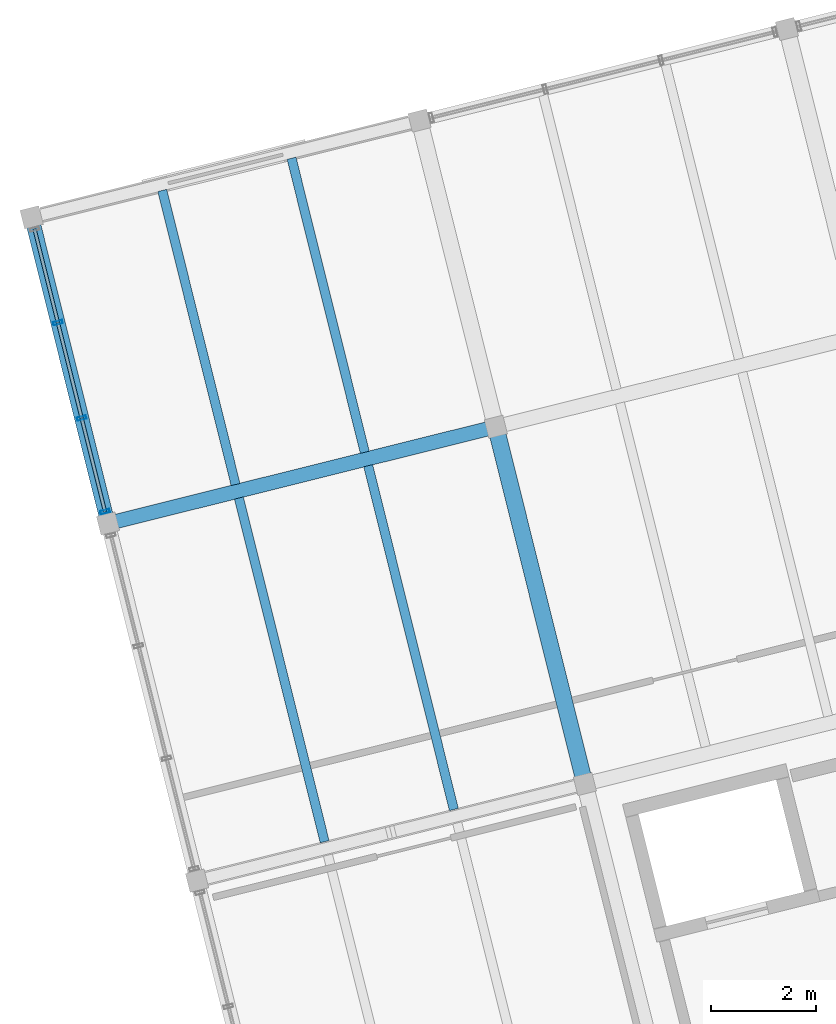
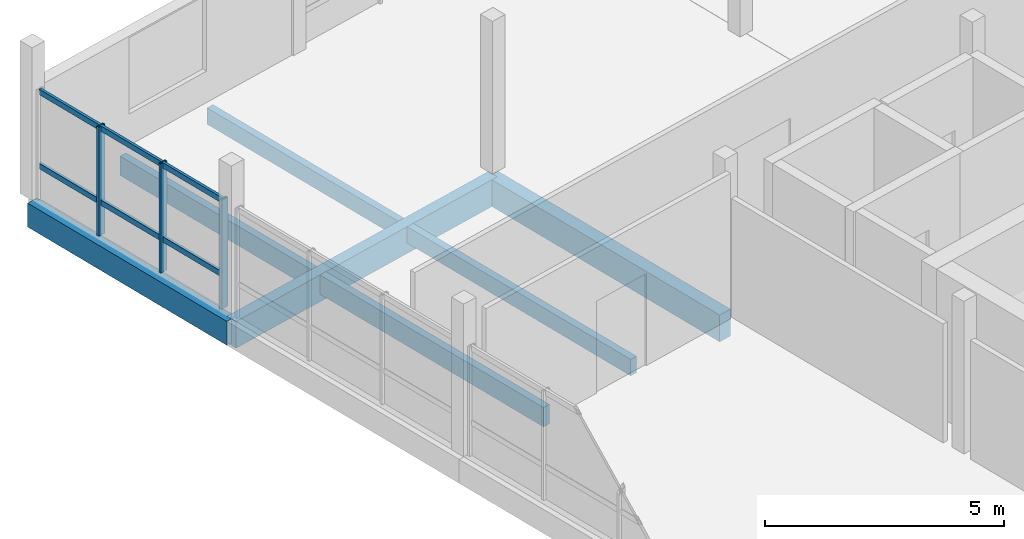
# One storey, part 9 of 28: 9 members, 7 beams, 1 element without a shape of its own.
"""IFC4 building model written with IfcOpenShell, lengths in metres."""

from ifc_helpers import new_model, si_unit, direction, frame, origin, origin_2d, place, context, subcontext, project, spatial, rectangle, hollow_rectangle, extrude, material, layer, layer_set, material_profile, profile_set, type_object, element, aggregate, save


model = new_model("IFC4")

# Units and contexts
model_context = context("Model", 3, precision=1e-05, world=origin(), true_north=direction((0.0, 1.0)))
body_context = subcontext(model_context, "Body", "Model", "MODEL_VIEW")
ifc_project = project(units=[si_unit("LENGTHUNIT", "METRE"), si_unit("AREAUNIT", "SQUARE_METRE"), si_unit("VOLUMEUNIT", "CUBIC_METRE"), si_unit("PLANEANGLEUNIT", "RADIAN"), si_unit("MASSUNIT", "GRAM", prefix="KILO")], contexts=[model_context])

# Site, building, storey
site_placement = place(None, origin())
site = spatial("IfcSite", under=ifc_project, at=site_placement, CompositionType="ELEMENT")
building_placement = place(site_placement, origin())
building = spatial("IfcBuilding", under=site, at=building_placement, Name="Meriwether Solvik Hall", CompositionType="ELEMENT")
storey_placement = place(building_placement, frame((0.0, 0.0, 37.800048828125)))
storey = spatial("IfcBuildingStorey", under=building, at=storey_placement, Name="L09", CompositionType="ELEMENT", Elevation=37.800048828125)

# Beams
ifc_material_1 = material(Name="Glulam Douglas-Fir 24F-V8 GL28h", Category="wood")
ifc_material_profile_1 = material_profile(ifc_material_1, rectangle(XDim=0.27294921875, YDim=0.610107421875, at=origin_2d()), Name="GLB-273X610")
ifc_profile_set_1 = profile_set([ifc_material_profile_1], Name="Glulam Douglas-Fir 24F-V8 GL28h")
beam_type_1 = type_object("IfcBeamType", Name="BM-GL-273X610", PredefinedType="SPANDREL", material=ifc_profile_set_1)
beam_1_placement = place(storey_placement, frame((61.826171875, 68.3681640625, -0.485107421875), z_axis=(-0.241903677572, 0.970300268359, 0.0), x_axis=(-0.970300268359, -0.241903677572, 0.0)))
element("IfcBeam", 1, at=beam_1_placement, inside=storey, type_object=beam_type_1, Name="Tower Girder T1:TE-TF (L09)", PredefinedType="SPANDREL", context=body_context, shape_type="SweptSolid", body=[
    extrude(rectangle(XDim=0.27294921875, YDim=0.610107421875, at=origin_2d()), origin(), (0.0, 0.0, 1.0), 6.0),
])
ifc_material_2 = material(Name="Glulam Douglas-Fir 24F-V8 GL28h", Category="wood")
ifc_material_profile_2 = material_profile(ifc_material_2, rectangle(XDim=0.27294921875, YDim=0.68505859375, at=origin_2d()), Name="GLB-273X685")
ifc_profile_set_2 = profile_set([ifc_material_profile_2], Name="Glulam Douglas-Fir 24F-V8 GL28h")
beam_type_2 = type_object("IfcBeamType", Name="BM-GL-273X685", PredefinedType="BEAM", material=ifc_profile_set_2)
beam_2_placement = place(storey_placement, frame((61.826171875, 68.3681640625, -0.5224609375), z_axis=(0.970295366785, 0.241923337436, 0.0), x_axis=(-0.241923337436, 0.970295366785, 0.0)))
element("IfcBeam", 2, at=beam_2_placement, inside=storey, type_object=beam_type_2, Name="Tower Girder TE:T1-T2 (L09)", PredefinedType="BEAM", context=body_context, shape_type="SweptSolid", body=[
    extrude(rectangle(XDim=0.27294921875, YDim=0.68505859375, at=origin_2d()), origin(), (0.0, 0.0, 1.0), 7.60009765625),
])
ifc_material_3 = material(Name="Glulam Douglas-Fir 24F-V8 GL28h", Category="wood")
ifc_material_profile_3 = material_profile(ifc_material_3, rectangle(XDim=0.31494140625, YDim=0.68505859375, at=origin_2d()), Name="GLB-315X685")
ifc_profile_set_3 = profile_set([ifc_material_profile_3], Name="Glulam Douglas-Fir 24F-V8 GL28h")
beam_type_3 = type_object("IfcBeamType", Name="BM-GL-315X685", PredefinedType="BEAM", material=ifc_profile_set_3)
beam_3_placement = place(storey_placement, frame((70.893798828125, 63.414794921875, -0.5224609375), z_axis=(-0.241911879182, 0.970298223594, 0.0), x_axis=(-0.970298223594, -0.241911879182, 0.0)))
element("IfcBeam", 3, at=beam_3_placement, inside=storey, type_object=beam_type_3, Name="Tower Girder T2:TD-TE (L09)", PredefinedType="BEAM", context=body_context, shape_type="SweptSolid", body=[
    extrude(rectangle(XDim=0.31494140625, YDim=0.68505859375, at=origin_2d()), origin(), (0.0, 0.0, 1.0), 7.0),
])

# Curtain wall, members
ifc_material_4 = material(Name="Thermally Broken Anodised Aluminium 6063-T6 and Low-E Glass", Category="aluminium")
ifc_layer = layer(ifc_material_4, 0.179931640625)
ifc_layer_set = layer_set([ifc_layer], Name="Thermally Broken Anodised Aluminium 6063-T6 and Low-E Glass")
curtain_wall_type = type_object("IfcCurtainWallType", Name="CW-UNIT-D", PredefinedType="USERDEFINED", material=ifc_layer_set)
curtain_wall_placement = place(storey_placement, origin())
curtain_wall = element("IfcCurtainWall", 4, at=curtain_wall_placement, inside=storey, type_object=curtain_wall_type, Name="Curtain Wall E7_B4 (L09)", ObjectType="UNITISED CURTAIN WALL", PredefinedType="USERDEFINED")
ifc_material_5 = material(Name="Anodised Aluminium 6063-T6", Category="aluminium")
ifc_material_profile_4 = material_profile(ifc_material_5, hollow_rectangle(XDim=0.06494140625, YDim=0.179931640625, WallThickness=0.00439453125, at=origin_2d()), Name="CWM-65X180")
ifc_profile_set_4 = profile_set([ifc_material_profile_4], Name="Anodised Aluminium 6063-T6")
member_type_1 = type_object("IfcMemberType", Name="CW-MUL-65X180", PredefinedType="MULLION", material=ifc_profile_set_4)
member_1_placement = place(storey_placement, frame((61.77001953125, 68.59375, 0.0), z_axis=(0.0, 0.0, 1.0), x_axis=(-0.241921949893, 0.970295712739, 0.0)))
member_1 = element("IfcMember", 5, at=member_1_placement, type_object=member_type_1, Name="Curtain Wall Mullion 1", PredefinedType="MULLION", context=body_context, shape_type="SweptSolid", body=[
    extrude(hollow_rectangle(XDim=0.06494140625, YDim=0.179931640625, WallThickness=0.00439453125, at=origin_2d()), origin(), (0.0, 0.0, 1.0), 2.7900390625),
])
member_2_placement = place(storey_placement, frame((61.32666015625, 70.371826171875, 0.0), z_axis=(0.0, 0.0, 1.0), x_axis=(-0.241921949893, 0.970295712739, 0.0)))
member_2 = element("IfcMember", 6, at=member_2_placement, type_object=member_type_1, Name="Curtain Wall Mullion 2", PredefinedType="MULLION", context=body_context, shape_type="SweptSolid", body=[
    extrude(hollow_rectangle(XDim=0.06494140625, YDim=0.179931640625, WallThickness=0.00439453125, at=origin_2d()), origin(), (0.0, 0.0, 1.0), 2.7900390625),
])
member_3_placement = place(storey_placement, frame((60.874267578125, 72.1865234375, 0.0), z_axis=(0.0, 0.0, 1.0), x_axis=(-0.241921949893, 0.970295712739, 0.0)))
member_3 = element("IfcMember", 7, at=member_3_placement, type_object=member_type_1, Name="Curtain Wall Mullion 3", PredefinedType="MULLION", context=body_context, shape_type="SweptSolid", body=[
    extrude(hollow_rectangle(XDim=0.06494140625, YDim=0.179931640625, WallThickness=0.00439453125, at=origin_2d()), origin(), (0.0, 0.0, 1.0), 2.7900390625),
])
ifc_material_6 = material(Name="Anodised Aluminium 6063-T6", Category="aluminium")
ifc_material_profile_5 = material_profile(ifc_material_6, hollow_rectangle(XDim=0.06494140625, YDim=0.139892578125, WallThickness=0.00439453125, at=origin_2d()), Name="CWT-65X140")
ifc_profile_set_5 = profile_set([ifc_material_profile_5], Name="Anodised Aluminium 6063-T6")
member_type_2 = type_object("IfcMemberType", Name="CW-TRN-65X140", PredefinedType="USERDEFINED", material=ifc_profile_set_5)
member_4_placement = place(storey_placement, frame((61.77001953125, 68.59375, 0.8369140625), z_axis=(-0.241939976898, 0.970291217923, 0.0), x_axis=(-0.970291217923, -0.241939976898, 0.0)))
member_4 = element("IfcMember", 8, at=member_4_placement, type_object=member_type_2, Name="Curtain Wall Transom 1-sill", ObjectType="TRANSOM", PredefinedType="USERDEFINED", context=body_context, shape_type="SweptSolid", body=[
    extrude(hollow_rectangle(XDim=0.06494140625, YDim=0.139892578125, WallThickness=0.00439453125, at=origin_2d()), origin(), (0.0, 0.0, 1.0), 1.83251953125),
])
member_5_placement = place(storey_placement, frame((61.77001953125, 68.59375, 2.72998046875), z_axis=(-0.241939976898, 0.970291217923, 0.0), x_axis=(-0.970291217923, -0.241939976898, 0.0)))
member_5 = element("IfcMember", 9, at=member_5_placement, type_object=member_type_2, Name="Curtain Wall Transom 1-head", ObjectType="TRANSOM", PredefinedType="USERDEFINED", context=body_context, shape_type="SweptSolid", body=[
    extrude(hollow_rectangle(XDim=0.06494140625, YDim=0.139892578125, WallThickness=0.00439453125, at=origin_2d()), origin(), (0.0, 0.0, 1.0), 1.83251953125),
])
member_6_placement = place(storey_placement, frame((61.32666015625, 70.371826171875, 0.8369140625), z_axis=(-0.241890550438, 0.970303540965, 0.0), x_axis=(-0.970303540965, -0.241890550438, 0.0)))
member_6 = element("IfcMember", 10, at=member_6_placement, type_object=member_type_2, Name="Curtain Wall Transom 2-sill", ObjectType="TRANSOM", PredefinedType="USERDEFINED", context=body_context, shape_type="SweptSolid", body=[
    extrude(hollow_rectangle(XDim=0.06494140625, YDim=0.139892578125, WallThickness=0.00439453125, at=origin_2d()), origin(), (0.0, 0.0, 1.0), 1.8701171875),
])
member_7_placement = place(storey_placement, frame((61.32666015625, 70.371826171875, 2.72998046875), z_axis=(-0.241890550438, 0.970303540965, 0.0), x_axis=(-0.970303540965, -0.241890550438, 0.0)))
member_7 = element("IfcMember", 11, at=member_7_placement, type_object=member_type_2, Name="Curtain Wall Transom 2-head", ObjectType="TRANSOM", PredefinedType="USERDEFINED", context=body_context, shape_type="SweptSolid", body=[
    extrude(hollow_rectangle(XDim=0.06494140625, YDim=0.139892578125, WallThickness=0.00439453125, at=origin_2d()), origin(), (0.0, 0.0, 1.0), 1.8701171875),
])
member_8_placement = place(storey_placement, frame((60.874267578125, 72.1865234375, 0.8369140625), z_axis=(-0.241971256119, 0.970283417983, 0.0), x_axis=(-0.970283417983, -0.241971256119, 0.0)))
member_8 = element("IfcMember", 12, at=member_8_placement, type_object=member_type_2, Name="Curtain Wall Transom 3-sill", ObjectType="TRANSOM", PredefinedType="USERDEFINED", context=body_context, shape_type="SweptSolid", body=[
    extrude(hollow_rectangle(XDim=0.06494140625, YDim=0.139892578125, WallThickness=0.00439453125, at=origin_2d()), origin(), (0.0, 0.0, 1.0), 1.832275390625),
])
member_9_placement = place(storey_placement, frame((60.874267578125, 72.1865234375, 2.72998046875), z_axis=(-0.241971256119, 0.970283417983, 0.0), x_axis=(-0.970283417983, -0.241971256119, 0.0)))
member_9 = element("IfcMember", 13, at=member_9_placement, type_object=member_type_2, Name="Curtain Wall Transom 3-head", ObjectType="TRANSOM", PredefinedType="USERDEFINED", context=body_context, shape_type="SweptSolid", body=[
    extrude(hollow_rectangle(XDim=0.06494140625, YDim=0.139892578125, WallThickness=0.00439453125, at=origin_2d()), origin(), (0.0, 0.0, 1.0), 1.832275390625),
])
aggregate(curtain_wall, [member_1, member_2, member_3, member_4, member_5, member_6, member_7, member_8, member_9])

# Beams
ifc_material_7 = material(Name="Glulam Douglas-Fir 24F-V8 GL28h", Category="wood")
ifc_material_profile_6 = material_profile(ifc_material_7, rectangle(XDim=0.175048828125, YDim=0.419921875, at=origin_2d()), Name="GLJ-175X420")
ifc_profile_set_6 = profile_set([ifc_material_profile_6], Name="Glulam Douglas-Fir 24F-V8 GL28h")
beam_type_4 = type_object("IfcBeamType", Name="JST-GL-175X420", PredefinedType="JOIST", material=ifc_profile_set_6)
beam_4_placement = place(storey_placement, frame((68.404052734375, 62.929443359375, -0.39013671875), z_axis=(-0.241921670289, 0.970295782452, 0.0), x_axis=(-0.970295782452, -0.241921670289, 0.0)))
element("IfcBeam", 14, at=beam_4_placement, inside=storey, type_object=beam_type_4, Name="Glulam Floor Joist T1/TD-J2 (L09)", PredefinedType="JOIST", context=body_context, shape_type="SweptSolid", body=[
    extrude(rectangle(XDim=0.175048828125, YDim=0.419921875, at=origin_2d()), origin(), (0.0, 0.0, 1.0), 6.7373046875),
])
beam_5_placement = place(storey_placement, frame((66.710693359375, 69.7216796875, -0.39013671875), z_axis=(-0.241957398309, 0.970286873766, 0.0), x_axis=(-0.970286873766, -0.241957398309, 0.0)))
element("IfcBeam", 15, at=beam_5_placement, inside=storey, type_object=beam_type_4, Name="Glulam Floor Joist T1/TE-J2 (L09)", PredefinedType="JOIST", context=body_context, shape_type="SweptSolid", body=[
    extrude(rectangle(XDim=0.175048828125, YDim=0.419921875, at=origin_2d()), origin(), (0.0, 0.0, 1.0), 5.762451171875),
])
ifc_material_8 = material(Name="Glulam Douglas-Fir 24F-V8 GL28h", Category="wood")
ifc_material_profile_7 = material_profile(ifc_material_8, rectangle(XDim=0.175048828125, YDim=0.4951171875, at=origin_2d()), Name="GLJ-175X495")
ifc_profile_set_7 = profile_set([ifc_material_profile_7], Name="Glulam Douglas-Fir 24F-V8 GL28h")
beam_type_5 = type_object("IfcBeamType", Name="JST-GL-175X495", PredefinedType="JOIST", material=ifc_profile_set_7)
beam_6_placement = place(storey_placement, frame((65.94580078125, 62.316650390625, -0.427490234375), z_axis=(-0.241896058636, 0.970302167789, 0.0), x_axis=(-0.970302167789, -0.241896058636, 0.0)))
element("IfcBeam", 16, at=beam_6_placement, inside=storey, type_object=beam_type_5, Name="Glulam Floor Joist T1/TD-J1 (L09)", PredefinedType="JOIST", context=body_context, shape_type="SweptSolid", body=[
    extrude(rectangle(XDim=0.175048828125, YDim=0.4951171875, at=origin_2d()), origin(), (0.0, 0.0, 1.0), 6.73681640625),
])
beam_7_placement = place(storey_placement, frame((64.25244140625, 69.108642578125, -0.427490234375), z_axis=(-0.241917511092, 0.970296819446, 0.0), x_axis=(-0.970296819446, -0.241917511092, 0.0)))
element("IfcBeam", 17, at=beam_7_placement, inside=storey, type_object=beam_type_5, Name="Glulam Floor Joist T1/TE-J1 (L09)", PredefinedType="JOIST", context=body_context, shape_type="SweptSolid", body=[
    extrude(rectangle(XDim=0.175048828125, YDim=0.4951171875, at=origin_2d()), origin(), (0.0, 0.0, 1.0), 5.762451171875),
])

save(model, "model.ifc")
